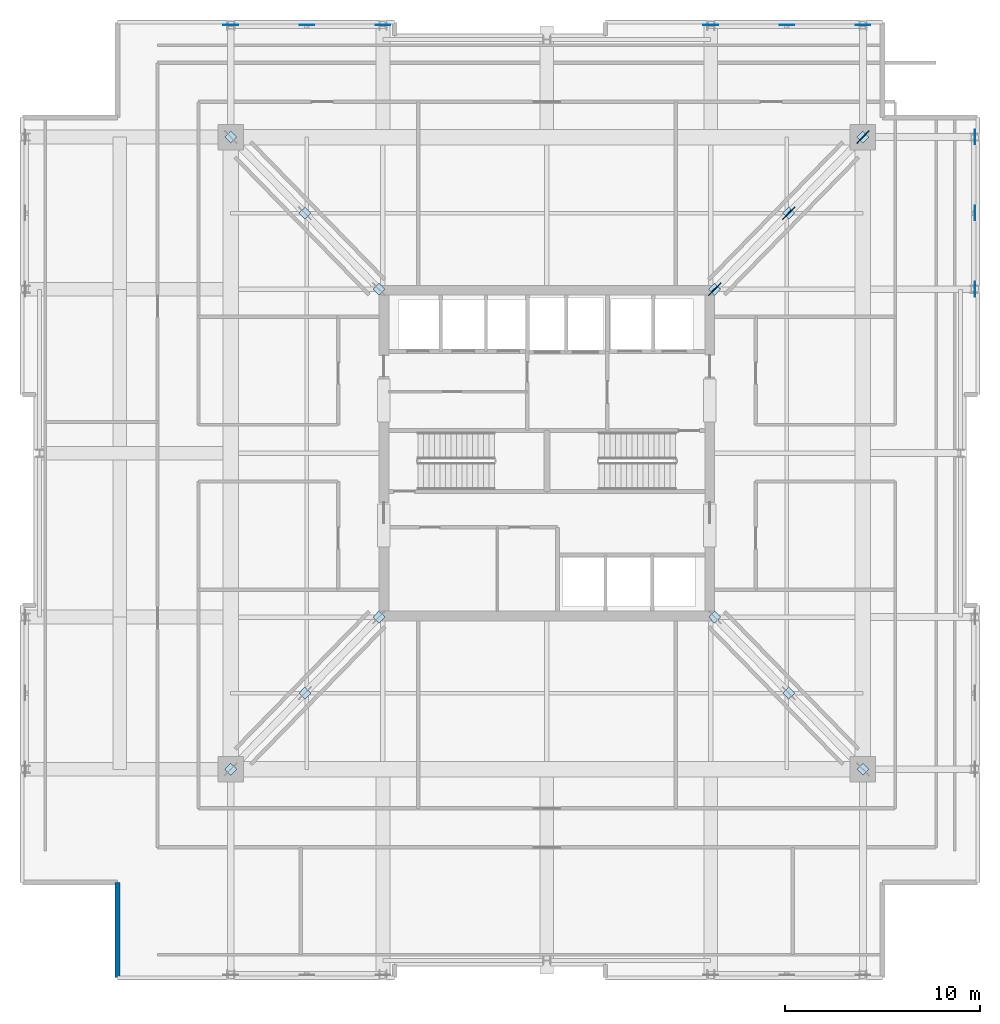
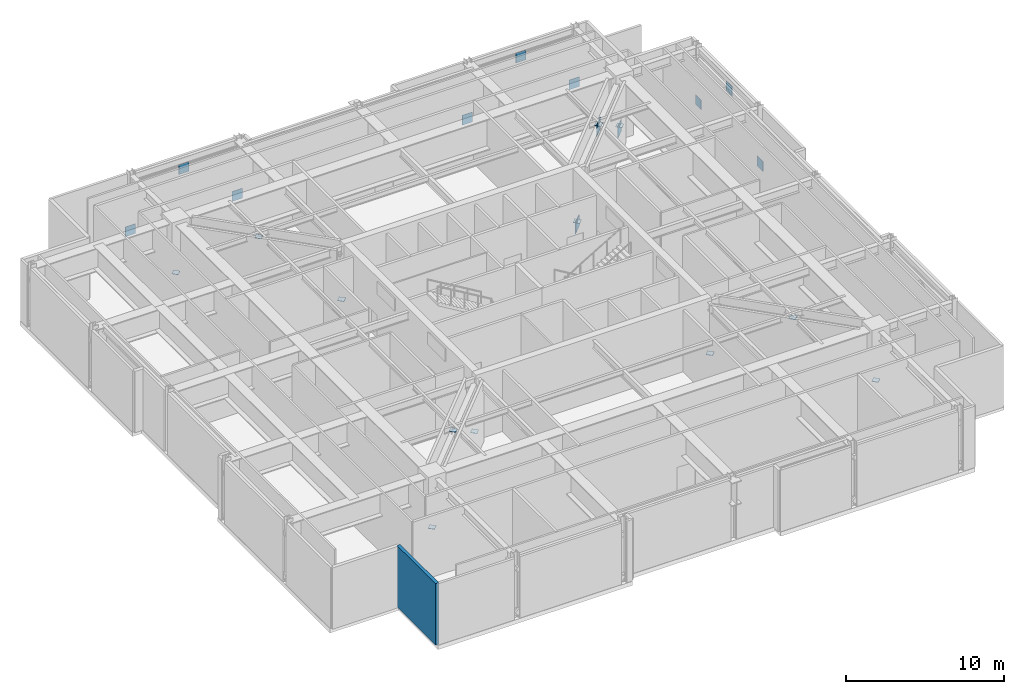
# One storey, part 6 of 13: 24 plates, 1 wall.
"""IFC4 building model written with IfcOpenShell, lengths in metres."""

from ifc_helpers import new_model, si_unit, direction, frame, frame_2d, origin, origin_2d, place, context, subcontext, project, spatial, rectangle, extrude, material, layer, layer_set, type_object, element, save


model = new_model("IFC4")

# Units and contexts
model_context = context("Model", 3, precision=1e-05, world=origin(), true_north=direction((0.0, 1.0)))
body_context = subcontext(model_context, "Body", "Model", "MODEL_VIEW")
ifc_project = project(units=[si_unit("LENGTHUNIT", "METRE"), si_unit("AREAUNIT", "SQUARE_METRE"), si_unit("VOLUMEUNIT", "CUBIC_METRE"), si_unit("PLANEANGLEUNIT", "RADIAN"), si_unit("MASSUNIT", "GRAM", prefix="KILO")], contexts=[model_context])

# Site, building, storey
site_placement = place(None, origin())
site = spatial("IfcSite", under=ifc_project, at=site_placement, CompositionType="ELEMENT")
building_placement = place(site_placement, origin())
building = spatial("IfcBuilding", under=site, at=building_placement, Name="Drelvath Grand Hotel", CompositionType="ELEMENT")
storey_placement = place(building_placement, frame((0.0, 0.0, 200.10009765625)))
storey = spatial("IfcBuildingStorey", under=building, at=storey_placement, Name="L52", CompositionType="ELEMENT", Elevation=200.10009765625)

# Plates
ifc_material_1 = material(Name="Steel ASTM A572 Gr 50", Category="steel")
ifc_layer_1 = layer(ifc_material_1, 0.031982421875)
ifc_layer_set_1 = layer_set([ifc_layer_1], Name="Steel ASTM A572 Gr 50")
plate_type_1 = type_object("IfcPlateType", Name="Belt Truss Node Gusset Plate 32mm", PredefinedType="USERDEFINED", material=ifc_layer_set_1)
for number, where, z_axis, x_axis, name in (
    (1, (21.949951171875, 35.39990234375, -0.025146484375), (0.0, 0.0, 1.0), (0.0, 1.0, 0.0), "L52 Belt Truss Start Gusset BE-N"),
    (2, (21.949951171875, 39.300048828125, 3.40478515625), (0.0, 0.0, 1.0), (0.0, 1.0, 0.0), "L52 Belt Truss Apex Gusset BE-N"),
    (3, (21.949951171875, 43.199951171875, -0.025146484375), (0.0, 0.0, 1.0), (0.0, 1.0, 0.0), "L52 Belt Truss End Gusset BE-N"),
    (4, (-16.199951171875, 48.949951171875, -0.025146484375), (0.0, 0.0, 1.0), (1.0, 0.0, 0.0), "L52 Belt Truss Start Gusset BN-W"),
    (5, (-12.300048828125, 48.949951171875, 3.40478515625), (0.0, 0.0, 1.0), (1.0, 0.0, 0.0), "L52 Belt Truss Apex Gusset BN-W"),
    (6, (-8.39990234375, 48.949951171875, -0.025146484375), (0.0, 0.0, 1.0), (1.0, 0.0, 0.0), "L52 Belt Truss End Gusset BN-W"),
    (7, (8.39990234375, 48.949951171875, -0.025146484375), (0.0, 0.0, 1.0), (1.0, 0.0, 0.0), "L52 Belt Truss Start Gusset BN-E"),
    (8, (12.300048828125, 48.949951171875, 3.40478515625), (0.0, 0.0, 1.0), (1.0, 0.0, 0.0), "L52 Belt Truss Apex Gusset BN-E"),
    (9, (16.199951171875, 48.949951171875, -0.025146484375), (0.0, 0.0, 1.0), (1.0, 0.0, 0.0), "L52 Belt Truss End Gusset BN-E"),
):
    element("IfcPlate", number, at=place(storey_placement, frame(where, z_axis=z_axis, x_axis=x_axis)), inside=storey, type_object=plate_type_1, Name=name, ObjectType="GUSSET_PLATE", PredefinedType="USERDEFINED", context=body_context, shape_type="SweptSolid", body=[
        extrude(rectangle(XDim=0.75, YDim=0.031982421875, at=origin_2d()), origin(), (0.0, 0.0, 1.0), 0.75),
    ])
ifc_layer_2 = layer(ifc_material_1, 0.02490234375)
ifc_layer_set_2 = layer_set([ifc_layer_2], Name="Steel ASTM A572 Gr 50")
plate_type_2 = type_object("IfcPlateType", Name="Hollow Section End Cap Plate 25mm", PredefinedType="SHEET", material=ifc_layer_set_2)
for number, where, z_axis, x_axis, name in (
    (10, (-8.60009765625, 18.60009765625, 0.557373046875), (0.0, 0.0, 1.0), (-0.697864726909, -0.716229588146, 0.0), "L52 Outrigger Hollow End Cap SW-1"),
    (11, (-12.39990234375, 14.699951171875, 4.357421875), (0.0, 0.0, 1.0), (-0.697864726909, -0.716229588146, 0.0), "L52 Outrigger Hollow End Cap SW-2"),
    (12, (-16.199951171875, 10.800048828125, 0.557373046875), (0.0, 0.0, 1.0), (-0.697864726909, -0.716229588146, 0.0), "L52 Outrigger Hollow End Cap SW-3"),
    (13, (8.60009765625, 18.60009765625, 0.557373046875), (0.0, 0.0, 1.0), (0.697864726909, -0.716229588146, 0.0), "L52 Outrigger Hollow End Cap SE-1"),
    (14, (12.39990234375, 14.699951171875, 4.357421875), (0.0, 0.0, 1.0), (0.697864726909, -0.716229588146, 0.0), "L52 Outrigger Hollow End Cap SE-2"),
    (15, (16.199951171875, 10.800048828125, 0.557373046875), (0.0, 0.0, 1.0), (0.697864726909, -0.716229588146, 0.0), "L52 Outrigger Hollow End Cap SE-3"),
    (16, (-8.60009765625, 35.39990234375, 0.557373046875), (0.0, 0.0, 1.0), (-0.697864726909, 0.716229588146, 0.0), "L52 Outrigger Hollow End Cap NW-1"),
    (17, (-12.39990234375, 39.300048828125, 4.357421875), (0.0, 0.0, 1.0), (-0.697864726909, 0.716229588146, 0.0), "L52 Outrigger Hollow End Cap NW-2"),
    (18, (-16.199951171875, 43.199951171875, 0.557373046875), (0.0, 0.0, 1.0), (-0.697864726909, 0.716229588146, 0.0), "L52 Outrigger Hollow End Cap NW-3"),
    (19, (8.60009765625, 35.39990234375, 0.557373046875), (0.0, 0.0, 1.0), (0.697864726909, 0.716229588146, 0.0), "L52 Outrigger Hollow End Cap NE-1"),
    (20, (12.39990234375, 39.300048828125, 4.357421875), (0.0, 0.0, 1.0), (0.697864726909, 0.716229588146, 0.0), "L52 Outrigger Hollow End Cap NE-2"),
    (21, (16.199951171875, 43.199951171875, 0.557373046875), (0.0, 0.0, 1.0), (0.697864726909, 0.716229588146, 0.0), "L52 Outrigger Hollow End Cap NE-3"),
):
    element("IfcPlate", number, at=place(storey_placement, frame(where, z_axis=z_axis, x_axis=x_axis)), inside=storey, type_object=plate_type_2, Name=name, PredefinedType="SHEET", context=body_context, shape_type="SweptSolid", body=[
        extrude(rectangle(XDim=0.43994140625, YDim=0.43994140625, at=origin_2d()), origin(), (0.0, 0.0, 1.0), 0.02490234375),
    ])
ifc_layer_3 = layer(ifc_material_1, 0.0400390625)
ifc_layer_set_3 = layer_set([ifc_layer_3], Name="Steel ASTM A572 Gr 50")
plate_type_3 = type_object("IfcPlateType", Name="Outrigger Node Gusset Plate 40mm", PredefinedType="USERDEFINED", material=ifc_layer_set_3)
for number, where, z_axis, x_axis, name in (
    (22, (8.60009765625, 35.39990234375, -0.10009765625), (0.0, 0.0, 1.0), (0.697864726909, 0.716229588146, 0.0), "L52 Outrigger Node Gusset NE-1"),
    (23, (12.39990234375, 39.300048828125, 3.699951171875), (0.0, 0.0, 1.0), (0.697864726909, 0.716229588146, 0.0), "L52 Outrigger Node Gusset NE-2"),
    (24, (16.199951171875, 43.199951171875, -0.10009765625), (0.0, 0.0, 1.0), (0.697864726909, 0.716229588146, 0.0), "L52 Outrigger Node Gusset NE-3"),
):
    element("IfcPlate", number, at=place(storey_placement, frame(where, z_axis=z_axis, x_axis=x_axis)), inside=storey, type_object=plate_type_3, Name=name, ObjectType="GUSSET_PLATE", PredefinedType="USERDEFINED", context=body_context, shape_type="SweptSolid", body=[
        extrude(rectangle(XDim=0.89990234375, YDim=0.0400390625, at=origin_2d()), origin(), (0.0, 0.0, 1.0), 0.89990234375),
    ])

# Wall
ifc_material_2 = material(Name="Pale-Metal Insulated Aluminium Spandrel Assembly", Category="aluminium")
ifc_layer_4 = layer(ifc_material_2, 0.239990234375)
ifc_layer_set_4 = layer_set([ifc_layer_4], Name="Pale-Metal Insulated Aluminium Spandrel Assembly")
wall_type = type_object("IfcWallType", Name="Tower Insulated Metal Spandrel Closure Wall 240", PredefinedType="STANDARD", material=ifc_layer_set_4)
wall_placement = place(storey_placement, frame((-22.0, 0.1201171875, 0.0), z_axis=(0.0, 0.0, 1.0), x_axis=(0.0, 1.0, 0.0)))
element("IfcWall", 25, at=wall_placement, inside=storey, type_object=wall_type, Name="L52 Notched Corner Return Spandrel Wall CSW1", PredefinedType="STANDARD", context=body_context, shape_type="SweptSolid", body=[
    extrude(rectangle(XDim=4.8798828125, YDim=0.239990234375, at=frame_2d((2.43994140625, 0.0))), origin(), (0.0, 0.0, 1.0), 4.739990234375),
])

save(model, "model.ifc")
